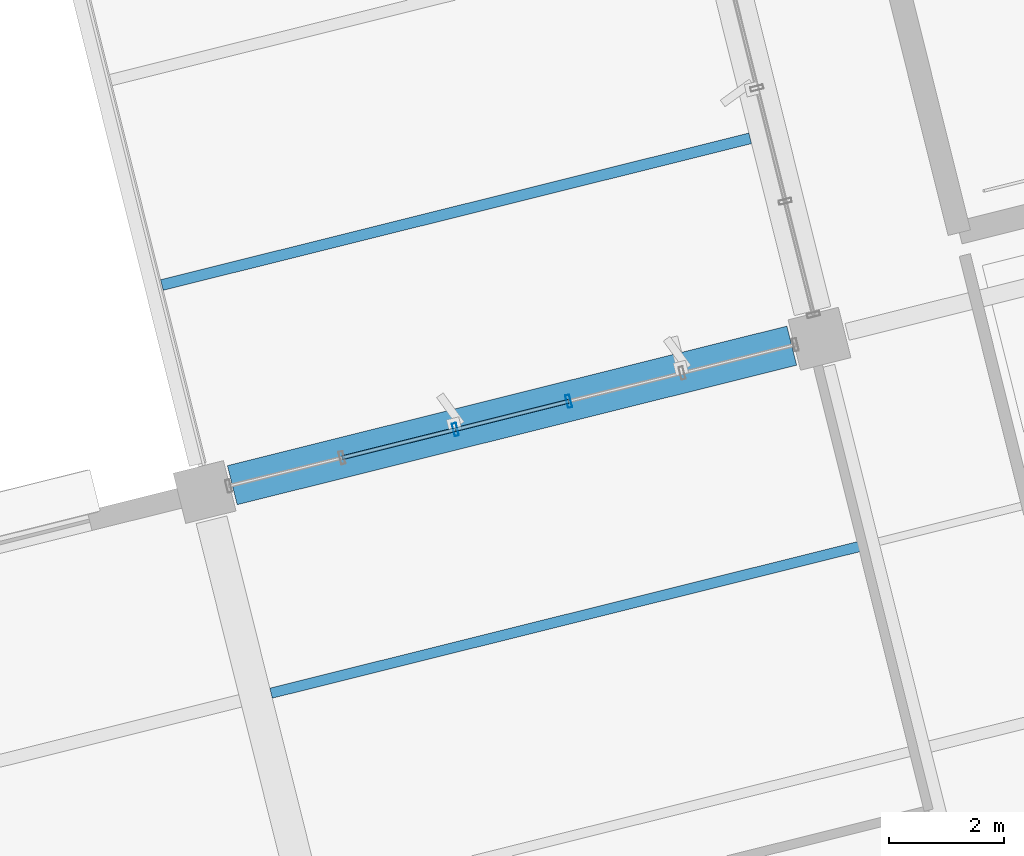
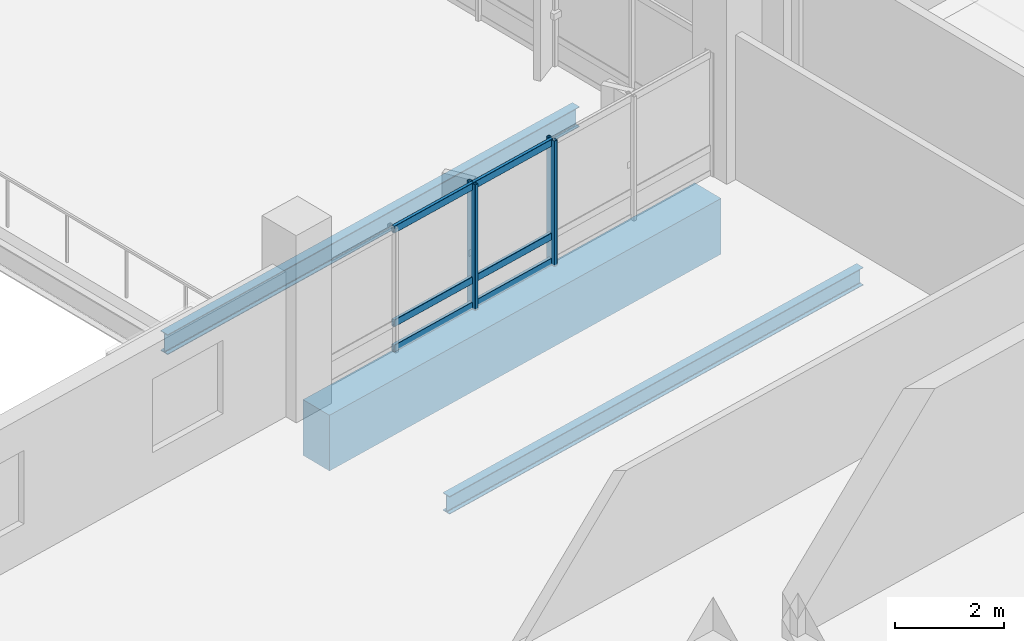
# One storey, part 6 of 42: 8 members, 3 beams, 1 element without a shape of its own.
"""IFC4 building model written with IfcOpenShell, lengths in metres."""

import ifcopenshell
import ifcopenshell.guid

model = None  # the IFC model being written
_history = None  # IfcOwnerHistory: only IFC2X3 demands one
_inside = {}  # id of a spatial element -> (the spatial element, [elements in it])
_under = {}  # id of a project, library or spatial element -> (it, [spatial elements below it])
_declared = {}  # id of a project -> (the project, [libraries it declares])
_typed = {}  # id of a type object -> (the type object, [elements of that type])
_made_of = {}  # id of a material, layer set ... -> (it, [elements and type objects made of it])


def new_model(schema):
    """Start an empty IFC model of exactly this schema.

    Asked for "IFC4X3", IfcOpenShell would pick the latest addendum, in which some entities
    have other attributes; the version numbers below select the first issue.
    IFC2X3 requires an IfcOwnerHistory on every rooted entity: one is made here for all.
    """
    global model, _history
    if schema == "IFC4X3":
        model = ifcopenshell.file(schema_version=(4, 3, 0, 0))
    else:
        model = ifcopenshell.file(schema=schema)
    _inside.clear()
    _under.clear()
    _declared.clear()
    _typed.clear()
    _made_of.clear()
    _history = None
    if model.schema == "IFC2X3":
        org = make("IfcOrganization", Name="unknown")
        user = make(
            "IfcPersonAndOrganization",
            ThePerson=make("IfcPerson", FamilyName="unknown"),
            TheOrganization=org,
        )
        app = make(
            "IfcApplication",
            ApplicationDeveloper=org,
            Version="unknown",
            ApplicationFullName="unknown",
            ApplicationIdentifier="unknown",
        )
        _history = make(
            "IfcOwnerHistory",
            OwningUser=user,
            OwningApplication=app,
            ChangeAction="ADDED",
            CreationDate=0,
        )
    return model


def make(cls, **values):
    """One entity of the class cls with the attributes given. An attribute that is None is left unset."""
    return model.create_entity(
        cls, **{name: value for name, value in values.items() if value is not None}
    )


def rooted(cls, **values):
    """An entity with a GlobalId (a new one), such as an element, a storey or a relation."""
    return make(cls, GlobalId=ifcopenshell.guid.new(), OwnerHistory=_history, **values)


def si_unit(unit_type, name, prefix=None):
    """IfcSIUnit, for example si_unit("LENGTHUNIT", "METRE", prefix="MILLI")."""
    return make("IfcSIUnit", UnitType=unit_type, Prefix=prefix, Name=name)


def assignment(units):
    """IfcUnitAssignment: the units of a project."""
    return None if units is None else make("IfcUnitAssignment", Units=units)


def point(xyz):
    """IfcCartesianPoint."""
    return None if xyz is None else make("IfcCartesianPoint", Coordinates=xyz)


def direction(xyz):
    """IfcDirection."""
    return None if xyz is None else make("IfcDirection", DirectionRatios=xyz)


def frame(location, z_axis=None, x_axis=None):
    """IfcAxis2Placement3D, a coordinate frame: its origin and axes. An axis left out is left unset."""
    return make(
        "IfcAxis2Placement3D",
        Location=point(location),
        Axis=direction(z_axis),
        RefDirection=direction(x_axis),
    )


def frame_2d(location, x_axis=None):
    """IfcAxis2Placement2D, a coordinate frame in the plane: its origin and x axis."""
    return make(
        "IfcAxis2Placement2D", Location=point(location), RefDirection=direction(x_axis)
    )


def origin():
    """The frame at (0, 0, 0) with its axes left unset."""
    return frame((0.0, 0.0, 0.0))


def origin_2d():
    """The frame at (0, 0) in the plane with its x axis left unset."""
    return frame_2d((0.0, 0.0))


def place(relative_to, where):
    """IfcLocalPlacement: puts the frame where relative to a parent placement (None: the world)."""
    return make(
        "IfcLocalPlacement", PlacementRelTo=relative_to, RelativePlacement=where
    )


def context(
    kind, dimensions, precision=None, world=None, true_north=None, identifier=None
):
    """IfcGeometricRepresentationContext, for example the 3D "Model" context."""
    return make(
        "IfcGeometricRepresentationContext",
        ContextIdentifier=identifier,
        ContextType=kind,
        CoordinateSpaceDimension=dimensions,
        Precision=precision,
        WorldCoordinateSystem=world,
        TrueNorth=true_north,
    )


def subcontext(parent, identifier, kind, view, scale=None):
    """IfcGeometricRepresentationSubContext, for example "Body" below "Model"."""
    return make(
        "IfcGeometricRepresentationSubContext",
        ContextIdentifier=identifier,
        ContextType=kind,
        ParentContext=parent,
        TargetScale=scale,
        TargetView=view,
    )


def project(units=None, contexts=None):
    """IfcProject with its units and contexts."""
    return rooted(
        "IfcProject",
        Name="project",
        RepresentationContexts=contexts,
        UnitsInContext=assignment(units),
    )


def spatial(cls, under=None, at=None, **own):
    """A site, building, storey or space (cls), placed at a placement, below another one or the project."""
    s = rooted(cls, ObjectPlacement=at, **own)
    if under is not None:
        _under.setdefault(under.id(), (under, []))[1].append(s)
    return s


def profile(cls, at=None, kind="AREA", **sizes):
    """A parametric profile (cls). Its sizes go by their IFC names, for example OverallWidth=200.0."""
    return make(cls, ProfileType=kind, Position=at, **sizes)


def rectangle(**sizes):
    """IfcRectangleProfileDef."""
    return profile("IfcRectangleProfileDef", **sizes)


def hollow_rectangle(**sizes):
    """IfcRectangleHollowProfileDef."""
    return profile("IfcRectangleHollowProfileDef", **sizes)


def i_section(**sizes):
    """IfcIShapeProfileDef."""
    return profile("IfcIShapeProfileDef", **sizes)


def extrude(swept, where, along, depth):
    """IfcExtrudedAreaSolid: the profile swept, set in the frame where, extruded along a direction by depth."""
    return make(
        "IfcExtrudedAreaSolid",
        SweptArea=swept,
        Position=where,
        ExtrudedDirection=direction(along),
        Depth=depth,
    )


def shape(context_of_items, identifier, shape_type, items):
    """IfcShapeRepresentation: the items that make up one representation, for example the "Body"."""
    return make(
        "IfcShapeRepresentation",
        ContextOfItems=context_of_items,
        RepresentationIdentifier=identifier,
        RepresentationType=shape_type,
        Items=items,
    )


def material(Name=None, Category=None):
    """IfcMaterial."""
    return make("IfcMaterial", Name=Name, Category=Category)


def layer(
    of_material, thickness, ventilated=None, Name=None, Category=None, Priority=None
):
    """IfcMaterialLayer: one layer of a wall or slab, of a material (None: an air gap)."""
    return make(
        "IfcMaterialLayer",
        Material=of_material,
        LayerThickness=thickness,
        IsVentilated=ventilated,
        Name=Name,
        Category=Category,
        Priority=Priority,
    )


def layer_set(layers, Name=None):
    """IfcMaterialLayerSet."""
    return make("IfcMaterialLayerSet", MaterialLayers=layers, LayerSetName=Name)


def material_profile(
    of_material, cross_section, Name=None, Category=None, Priority=None
):
    """IfcMaterialProfile: a cross section and its material."""
    return make(
        "IfcMaterialProfile",
        Name=Name,
        Material=of_material,
        Profile=cross_section,
        Priority=Priority,
        Category=Category,
    )


def profile_set(profiles, Name=None, composite=None):
    """IfcMaterialProfileSet."""
    return make(
        "IfcMaterialProfileSet",
        Name=Name,
        MaterialProfiles=profiles,
        CompositeProfile=composite,
    )


def made_of(thing, what):
    """Note that an element or type object is made of a material, layer set ...; save() writes the relation."""
    if what is not None:
        _made_of.setdefault(what.id(), (what, []))[1].append(thing)
    return thing


def type_object(cls, material=None, **own):
    """A type object (cls), such as IfcWallType, which elements share."""
    return made_of(rooted(cls, **own), material)


def element(
    cls,
    number,
    at=None,
    inside=None,
    cuts=None,
    type_object=None,
    material=None,
    context=None,
    identifier="Body",
    shape_type=None,
    held_by="IfcProductDefinitionShape",
    body=None,
    shapes=None,
    **own,
):
    """One element of the class cls, such as IfcWall. Its Tag is "e" and its number.

    at: its placement. inside: the storey or other place that contains it. cuts: it is an
    opening in that element (IfcRelVoidsElement). A single representation is given by context,
    identifier, shape_type and body (its items); several are given by shapes. held_by: the class
    of the entity that holds the representations. save() writes the other relations.
    """
    e = rooted(cls, Tag="e%d" % number, ObjectPlacement=at, **own)
    if body is not None:
        shapes = [shape(context, identifier, shape_type, body)]
    if shapes is not None:
        e.Representation = make(held_by, Representations=shapes)
    if inside is not None:
        _inside.setdefault(inside.id(), (inside, []))[1].append(e)
    if cuts is not None:
        rooted(
            "IfcRelVoidsElement", RelatingBuildingElement=cuts, RelatedOpeningElement=e
        )
    if type_object is not None:
        _typed.setdefault(type_object.id(), (type_object, []))[1].append(e)
    return made_of(e, material)


def aggregate(whole, parts):
    """IfcRelAggregates: a whole, such as a stair, and the parts it consists of."""
    return rooted("IfcRelAggregates", RelatingObject=whole, RelatedObjects=parts)


def save(model, path):
    """Write the relations noted so far, then the file.

    IfcRelAggregates (storeys below a building ...), IfcRelContainedInSpatialStructure (elements
    in a storey), IfcRelDefinesByType, IfcRelAssociatesMaterial and IfcRelDeclares: one each for
    every whole, place, type object, material and project.
    """
    for whole, parts in _under.values():
        aggregate(whole, parts)
    for where, things in _inside.values():
        rooted(
            "IfcRelContainedInSpatialStructure",
            RelatedElements=things,
            RelatingStructure=where,
        )
    for kind, things in _typed.values():
        rooted("IfcRelDefinesByType", RelatedObjects=things, RelatingType=kind)
    for what, things in _made_of.values():
        rooted("IfcRelAssociatesMaterial", RelatedObjects=things, RelatingMaterial=what)
    for by, libraries in _declared.values():
        rooted("IfcRelDeclares", RelatingContext=by, RelatedDefinitions=libraries)
    model.write(path)


model = new_model("IFC4")

# Units and contexts
model_context = context("Model", 3, precision=1e-05, world=origin(), true_north=direction((0.0, 1.0)))
body_context = subcontext(model_context, "Body", "Model", "MODEL_VIEW")
ifc_project = project(units=[si_unit("LENGTHUNIT", "METRE"), si_unit("AREAUNIT", "SQUARE_METRE"), si_unit("VOLUMEUNIT", "CUBIC_METRE"), si_unit("PLANEANGLEUNIT", "RADIAN"), si_unit("MASSUNIT", "GRAM", prefix="KILO")], contexts=[model_context])

# Site, building, storey
site_placement = place(None, origin())
site = spatial("IfcSite", under=ifc_project, at=site_placement, CompositionType="ELEMENT")
building_placement = place(site_placement, origin())
building = spatial("IfcBuilding", under=site, at=building_placement, Name="Khorjan Park Terminus", CompositionType="ELEMENT")
storey_placement = place(building_placement, frame((0.0, 0.0, 20.4)))
storey = spatial("IfcBuildingStorey", under=building, at=storey_placement, Name="L04", CompositionType="ELEMENT", Elevation=20.4)

# Beams
ifc_material_1 = material(Name="Concrete C40/50", Category="concrete")
ifc_material_profile_1 = material_profile(ifc_material_1, rectangle(XDim=0.7, YDim=1.25, at=origin_2d()), Name="RC 700x1250")
ifc_profile_set_1 = profile_set([ifc_material_profile_1], Name="Concrete C40/50")
beam_type_1 = type_object("IfcBeamType", Name="BM-RC700x1250", PredefinedType="BEAM", material=ifc_profile_set_1)
beam_1_placement = place(storey_placement, frame((193.1778, 31.4497, -0.965), z_axis=(0.970296269392, 0.24191971727, 0.0), x_axis=(-0.24191971727, 0.970296269392, 0.0)))
element("IfcBeam", 1, at=beam_1_placement, inside=storey, type_object=beam_type_1, Name="Primary skew-grid floor girder GB-125 (L04)", PredefinedType="BEAM", context=body_context, shape_type="SweptSolid", body=[
    extrude(rectangle(XDim=0.7, YDim=1.25, at=origin_2d()), origin(), (0.0, 0.0, 1.0), 10.0099),
])
ifc_material_2 = material(Name="Steel S355", Category="steel")
ifc_material_profile_2 = material_profile(ifc_material_2, i_section(OverallWidth=0.18, OverallDepth=0.4, WebThickness=0.0086, FlangeThickness=0.0135, FilletRadius=0.021, at=origin_2d()), Name="IPE 400")
ifc_profile_set_2 = profile_set([ifc_material_profile_2], Name="Steel S355")
beam_type_2 = type_object("IfcBeamType", Name="JS-IPE400", PredefinedType="JOIST", material=ifc_profile_set_2)
beam_2_placement = place(storey_placement, frame((193.8514, 27.8387, -0.54), z_axis=(0.970295832192, 0.241921470792, 0.0), x_axis=(-0.241921470792, 0.970295832192, 0.0)))
element("IfcBeam", 2, at=beam_2_placement, inside=storey, type_object=beam_type_2, Name="Secondary composite floor joist SJ-40 (L04)", PredefinedType="JOIST", context=body_context, shape_type="SweptSolid", body=[
    extrude(i_section(OverallWidth=0.18, OverallDepth=0.4, WebThickness=0.0086, FlangeThickness=0.0135, FilletRadius=0.021, at=origin_2d()), origin(), (0.0, 0.0, 1.0), 10.5749),
])
ifc_material_profile_3 = material_profile(ifc_material_2, i_section(OverallWidth=0.19, OverallDepth=0.45, WebThickness=0.0094, FlangeThickness=0.0146, FilletRadius=0.021, at=origin_2d()), Name="IPE 450")
ifc_profile_set_3 = profile_set([ifc_material_profile_3], Name="Steel S355")
beam_type_3 = type_object("IfcBeamType", Name="JS-IPE450", PredefinedType="JOIST", material=ifc_profile_set_3)
beam_3_placement = place(storey_placement, frame((191.956, 34.924, -0.565), z_axis=(0.970296002015, 0.241920789668, 0.0), x_axis=(-0.241920789668, 0.970296002015, 0.0)))
element("IfcBeam", 3, at=beam_3_placement, inside=storey, type_object=beam_type_3, Name="Secondary composite floor joist SJ-45 (L04)", PredefinedType="JOIST", context=body_context, shape_type="SweptSolid", body=[
    extrude(i_section(OverallWidth=0.19, OverallDepth=0.45, WebThickness=0.0094, FlangeThickness=0.0146, FilletRadius=0.021, at=origin_2d()), origin(), (0.0, 0.0, 1.0), 10.5249),
])

# Curtain wall, members
ifc_material_3 = material(Name="Anodized Bronze Aluminium", Category="aluminium")
ifc_layer = layer(ifc_material_3, 0.22)
ifc_layer_set = layer_set([ifc_layer], Name="Anodized Bronze Aluminium")
curtain_wall_type = type_object("IfcCurtainWallType", Name="CW-OPS-B", PredefinedType="NOTDEFINED", material=ifc_layer_set)
curtain_wall_placement = place(storey_placement, origin())
curtain_wall = element("IfcCurtainWall", 4, at=curtain_wall_placement, inside=storey, type_object=curtain_wall_type, Name="Unitized curtain wall CW-B (CW-V5-NW2-L04-B01)", PredefinedType="NOTDEFINED")
ifc_material_profile_4 = material_profile(ifc_material_3, hollow_rectangle(XDim=0.075, YDim=0.225, WallThickness=0.005, InnerFilletRadius=0.005, OuterFilletRadius=0.01, at=origin_2d()), Name="ALM 75x225x5")
ifc_profile_set_4 = profile_set([ifc_material_profile_4], Name="Anodized Bronze Aluminium")
member_type_1 = type_object("IfcMemberType", Name="ML-ALM-225", PredefinedType="MULLION", material=ifc_profile_set_4)
member_1_placement = place(storey_placement, frame((199.0179, 32.9058, -0.035), z_axis=(0.0, 0.0, 1.0), x_axis=(-0.970294289952, -0.241927656308, 0.0)))
member_1 = element("IfcMember", 5, at=member_1_placement, type_object=member_type_1, Name="Curtain-wall mullion ML-22 (CW-V5-NW2-L04-B01-2)", PredefinedType="MULLION", context=body_context, shape_type="SweptSolid", body=[
    extrude(hollow_rectangle(XDim=0.075, YDim=0.225, WallThickness=0.005, InnerFilletRadius=0.005, OuterFilletRadius=0.01, at=origin_2d()), origin(), (0.0, 0.0, 1.0), 2.815),
])
member_2_placement = place(storey_placement, frame((197.0501, 32.4151, -0.035), z_axis=(0.0, 0.0, 1.0), x_axis=(-0.970294289952, -0.241927656308, 0.0)))
member_2 = element("IfcMember", 6, at=member_2_placement, type_object=member_type_1, Name="Curtain-wall mullion ML-22 (CW-V5-NW2-L04-B01-3)", PredefinedType="MULLION", context=body_context, shape_type="SweptSolid", body=[
    extrude(hollow_rectangle(XDim=0.075, YDim=0.225, WallThickness=0.005, InnerFilletRadius=0.005, OuterFilletRadius=0.01, at=origin_2d()), origin(), (0.0, 0.0, 1.0), 2.815),
])
ifc_material_profile_5 = material_profile(ifc_material_3, hollow_rectangle(XDim=0.07, YDim=0.16, WallThickness=0.004, InnerFilletRadius=0.004, OuterFilletRadius=0.008, at=origin_2d()), Name="ALT 70x160x4")
ifc_profile_set_5 = profile_set([ifc_material_profile_5], Name="Anodized Bronze Aluminium")
member_type_2 = type_object("IfcMemberType", Name="TR-ALT-160", PredefinedType="USERDEFINED", material=ifc_profile_set_5)
member_3_placement = place(storey_placement, frame((199.0179, 32.9058, 0.04), z_axis=(-0.970287350917, -0.241955484854, 0.0), x_axis=(0.241955484854, -0.970287350917, 0.0)))
member_3 = element("IfcMember", 7, at=member_3_placement, type_object=member_type_2, Name="Curtain-wall transom TR-16 (CW-V5-NW2-L04-B01-2-1)", ObjectType="TRANSOM", PredefinedType="USERDEFINED", context=body_context, shape_type="SweptSolid", body=[
    extrude(hollow_rectangle(XDim=0.07, YDim=0.16, WallThickness=0.004, InnerFilletRadius=0.004, OuterFilletRadius=0.008, at=origin_2d()), origin(), (0.0, 0.0, 1.0), 2.0281),
])
member_4_placement = place(storey_placement, frame((199.0179, 32.9058, 0.604), z_axis=(-0.970287350917, -0.241955484854, 0.0), x_axis=(0.241955484854, -0.970287350917, 0.0)))
member_4 = element("IfcMember", 8, at=member_4_placement, type_object=member_type_2, Name="Curtain-wall transom TR-16 (CW-V5-NW2-L04-B01-2-2)", ObjectType="TRANSOM", PredefinedType="USERDEFINED", context=body_context, shape_type="SweptSolid", body=[
    extrude(hollow_rectangle(XDim=0.07, YDim=0.16, WallThickness=0.004, InnerFilletRadius=0.004, OuterFilletRadius=0.008, at=origin_2d()), origin(), (0.0, 0.0, 1.0), 2.0281),
])
member_5_placement = place(storey_placement, frame((199.0179, 32.9058, 2.705), z_axis=(-0.970287350917, -0.241955484854, 0.0), x_axis=(0.241955484854, -0.970287350917, 0.0)))
member_5 = element("IfcMember", 9, at=member_5_placement, type_object=member_type_2, Name="Curtain-wall transom TR-16 (CW-V5-NW2-L04-B01-2-3)", ObjectType="TRANSOM", PredefinedType="USERDEFINED", context=body_context, shape_type="SweptSolid", body=[
    extrude(hollow_rectangle(XDim=0.07, YDim=0.16, WallThickness=0.004, InnerFilletRadius=0.004, OuterFilletRadius=0.008, at=origin_2d()), origin(), (0.0, 0.0, 1.0), 2.0281),
])
member_6_placement = place(storey_placement, frame((197.0501, 32.4151, 0.04), z_axis=(-0.970301811202, -0.241897488986, 0.0), x_axis=(0.241897488986, -0.970301811202, 0.0)))
member_6 = element("IfcMember", 10, at=member_6_placement, type_object=member_type_2, Name="Curtain-wall transom TR-16 (CW-V5-NW2-L04-B01-3-1)", ObjectType="TRANSOM", PredefinedType="USERDEFINED", context=body_context, shape_type="SweptSolid", body=[
    extrude(hollow_rectangle(XDim=0.07, YDim=0.16, WallThickness=0.004, InnerFilletRadius=0.004, OuterFilletRadius=0.008, at=origin_2d()), origin(), (0.0, 0.0, 1.0), 2.0281),
])
member_7_placement = place(storey_placement, frame((197.0501, 32.4151, 0.604), z_axis=(-0.970301811202, -0.241897488986, 0.0), x_axis=(0.241897488986, -0.970301811202, 0.0)))
member_7 = element("IfcMember", 11, at=member_7_placement, type_object=member_type_2, Name="Curtain-wall transom TR-16 (CW-V5-NW2-L04-B01-3-2)", ObjectType="TRANSOM", PredefinedType="USERDEFINED", context=body_context, shape_type="SweptSolid", body=[
    extrude(hollow_rectangle(XDim=0.07, YDim=0.16, WallThickness=0.004, InnerFilletRadius=0.004, OuterFilletRadius=0.008, at=origin_2d()), origin(), (0.0, 0.0, 1.0), 2.0281),
])
member_8_placement = place(storey_placement, frame((197.0501, 32.4151, 2.705), z_axis=(-0.970301811202, -0.241897488986, 0.0), x_axis=(0.241897488986, -0.970301811202, 0.0)))
member_8 = element("IfcMember", 12, at=member_8_placement, type_object=member_type_2, Name="Curtain-wall transom TR-16 (CW-V5-NW2-L04-B01-3-3)", ObjectType="TRANSOM", PredefinedType="USERDEFINED", context=body_context, shape_type="SweptSolid", body=[
    extrude(hollow_rectangle(XDim=0.07, YDim=0.16, WallThickness=0.004, InnerFilletRadius=0.004, OuterFilletRadius=0.008, at=origin_2d()), origin(), (0.0, 0.0, 1.0), 2.0281),
])
aggregate(curtain_wall, [member_1, member_2, member_3, member_4, member_5, member_6, member_7, member_8])

save(model, "model.ifc")
